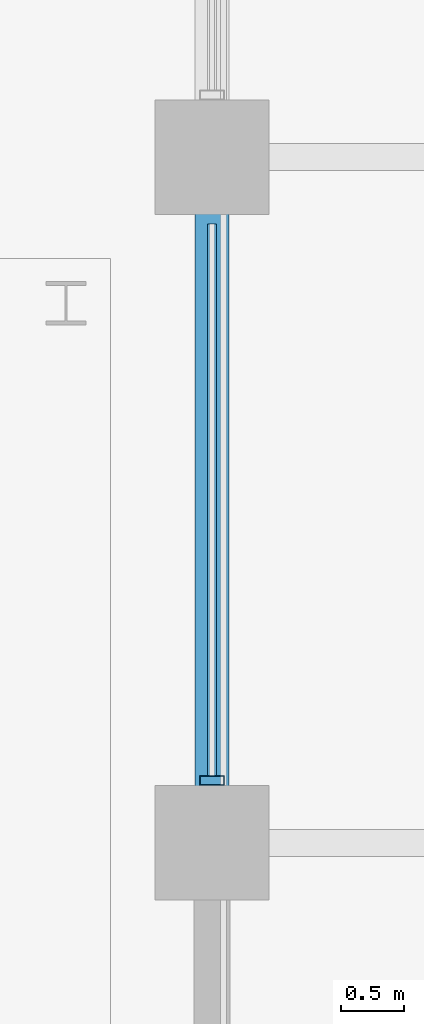
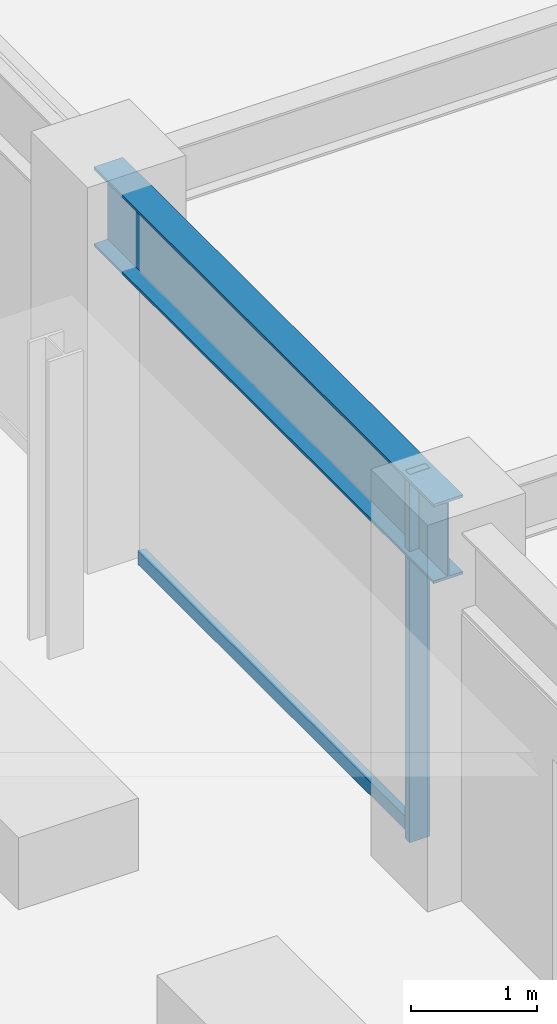
# One storey, part 9 of 36: 2 members, 1 beam, 1 element without a shape of its own.
"""IFC4 building model written with IfcOpenShell, lengths in metres."""

from ifc_helpers import new_model, si_unit, direction, frame, origin, origin_2d, place, context, subcontext, project, spatial, hollow_rectangle, i_section, extrude, material, layer, layer_set, material_profile, profile_set, type_object, element, aggregate, save


model = new_model("IFC4")

# Units and contexts
model_context = context("Model", 3, precision=1e-05, world=origin(), true_north=direction((0.0, 1.0)))
body_context = subcontext(model_context, "Body", "Model", "MODEL_VIEW")
ifc_project = project(units=[si_unit("LENGTHUNIT", "METRE"), si_unit("AREAUNIT", "SQUARE_METRE"), si_unit("VOLUMEUNIT", "CUBIC_METRE"), si_unit("PLANEANGLEUNIT", "RADIAN"), si_unit("MASSUNIT", "GRAM", prefix="KILO")], contexts=[model_context])

# Site, building, storey
site_placement = place(None, origin())
site = spatial("IfcSite", under=ifc_project, at=site_placement, CompositionType="ELEMENT")
building_placement = place(site_placement, origin())
building = spatial("IfcBuilding", under=site, at=building_placement, Name="Surkhivell Harbour Commons", CompositionType="ELEMENT")
storey_placement = place(building_placement, frame((0.0, 0.0, 171.0)))
storey = spatial("IfcBuildingStorey", under=building, at=storey_placement, Name="L44", CompositionType="ELEMENT", Elevation=171.0)

# Beam
ifc_material_1 = material(Name="Steel S355", Category="steel")
ifc_material_profile_1 = material_profile(ifc_material_1, i_section(OverallWidth=0.26806640625, OverallDepth=0.77001953125, WebThickness=0.015625, FlangeThickness=0.025390625, at=origin_2d()), Name="UB762x267x197")
ifc_profile_set_1 = profile_set([ifc_material_profile_1], Name="Steel S355")
beam_type = type_object("IfcBeamType", Name="BM-SPN-762", PredefinedType="SPANDREL", material=ifc_profile_set_1)
beam_placement = place(storey_placement, frame((-27.0, 5.39990234375, 3.18505859375), z_axis=(0.0, 1.0, 0.0), x_axis=(-1.0, 0.0, 0.0)))
element("IfcBeam", 1, at=beam_placement, inside=storey, type_object=beam_type, Name="L44 Tube Spandrel (-27.0,5.4)", PredefinedType="SPANDREL", context=body_context, shape_type="SweptSolid", body=[
    extrude(i_section(OverallWidth=0.26806640625, OverallDepth=0.77001953125, WebThickness=0.015625, FlangeThickness=0.025390625, at=origin_2d()), origin(), (0.0, 0.0, 1.0), 5.400146484375),
])

# Curtain wall, members
ifc_material_2 = material(Name="Anodised pale-metal aluminium and insulated glazing", Category="aluminium")
ifc_layer = layer(ifc_material_2, 0.18994140625)
ifc_layer_set = layer_set([ifc_layer], Name="Anodised pale-metal aluminium and insulated glazing")
curtain_wall_type = type_object("IfcCurtainWallType", Name="CW-SYS-Z3", PredefinedType="NOTDEFINED", material=ifc_layer_set)
curtain_wall_placement = place(storey_placement, origin())
curtain_wall = element("IfcCurtainWall", 2, at=curtain_wall_placement, inside=storey, type_object=curtain_wall_type, Name="L44 Curtain Wall CW-L44-E12B", PredefinedType="NOTDEFINED")
ifc_material_3 = material(Name="Anodised pale-metal aluminium alloy 6063-T6", Category="aluminium")
ifc_material_profile_2 = material_profile(ifc_material_3, hollow_rectangle(XDim=0.074951171875, YDim=0.18994140625, WallThickness=0.00390625, at=origin_2d()), Name="ALU-MULL-75x190")
ifc_profile_set_2 = profile_set([ifc_material_profile_2], Name="Anodised pale-metal aluminium alloy 6063-T6")
member_type_1 = type_object("IfcMemberType", Name="CWM-190", PredefinedType="MULLION", material=ifc_profile_set_2)
member_1_placement = place(storey_placement, frame((-27.0, 5.889404296875, 0.0), z_axis=(0.0, 0.0, 1.0), x_axis=(0.0, 1.0, 0.0)))
member_1 = element("IfcMember", 3, at=member_1_placement, type_object=member_type_1, Name="CW-Z3 mullion 1", PredefinedType="MULLION", context=body_context, shape_type="SweptSolid", body=[
    extrude(hollow_rectangle(XDim=0.074951171875, YDim=0.18994140625, WallThickness=0.00390625, at=origin_2d()), origin(), (0.0, 0.0, 1.0), 3.570068359375),
])
ifc_material_4 = material(Name="Champagne anodised aluminium alloy 6063-T6", Category="aluminium")
ifc_material_profile_3 = material_profile(ifc_material_4, hollow_rectangle(XDim=0.070068359375, YDim=0.1298828125, WallThickness=0.00341796875, at=origin_2d()), Name="ALU-TRAN-70x130")
ifc_profile_set_3 = profile_set([ifc_material_profile_3], Name="Champagne anodised aluminium alloy 6063-T6")
member_type_2 = type_object("IfcMemberType", Name="CWT-130", PredefinedType="USERDEFINED", material=ifc_profile_set_3)
member_2_placement = place(storey_placement, frame((-27.0, 5.927001953125, 0.06494140625), z_axis=(0.0, 1.0, 0.0), x_axis=(-1.0, 0.0, 0.0)))
member_2 = element("IfcMember", 4, at=member_2_placement, type_object=member_type_2, Name="CW-Z3 transom 1.1", ObjectType="TRANSOM", PredefinedType="USERDEFINED", context=body_context, shape_type="SweptSolid", body=[
    extrude(hollow_rectangle(XDim=0.070068359375, YDim=0.1298828125, WallThickness=0.00341796875, at=origin_2d()), origin(), (0.0, 0.0, 1.0), 4.345947265625),
])
aggregate(curtain_wall, [member_1, member_2])

save(model, "model.ifc")
